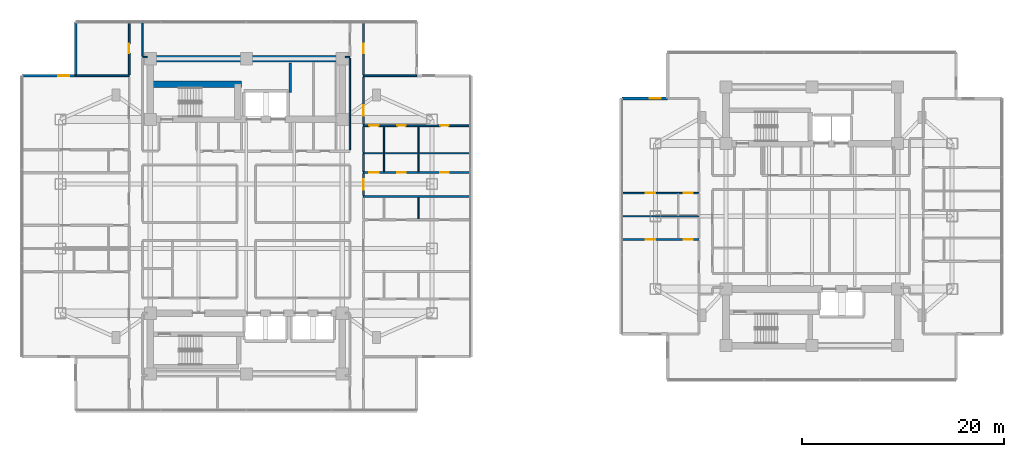
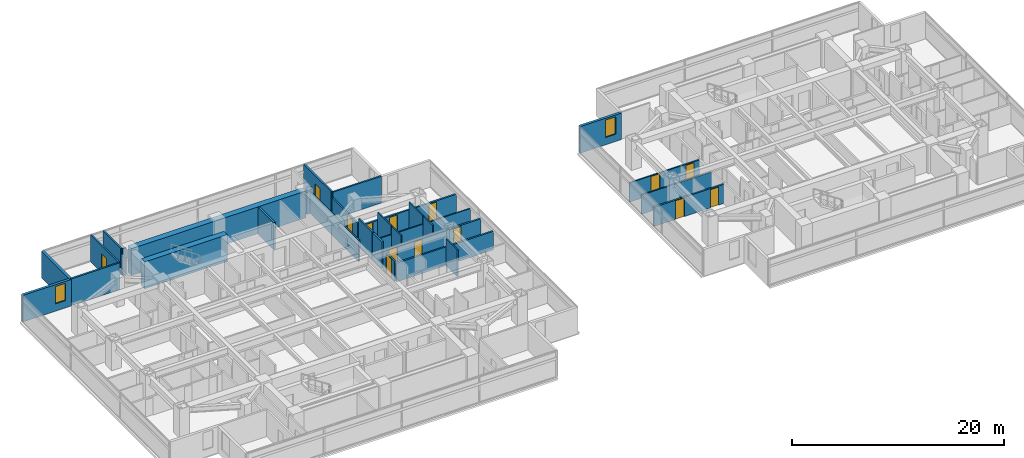
# One storey, part 16 of 25: 30 walls, 14 doors, 2 windows, 16 openings.
"""IFC4 building model written with IfcOpenShell, lengths in metres."""

from ifc_helpers import new_model, si_unit, direction, frame, frame_2d, origin, place, context, subcontext, project, spatial, rectangle, extrude, material, layer, layer_set, type_object, element, fill, save


model = new_model("IFC4")

# Units and contexts
model_context = context("Model", 3, precision=1e-05, world=origin(), true_north=direction((0.0, 1.0)))
body_context = subcontext(model_context, "Body", "Model", "MODEL_VIEW")
ifc_project = project(units=[si_unit("LENGTHUNIT", "METRE"), si_unit("AREAUNIT", "SQUARE_METRE"), si_unit("VOLUMEUNIT", "CUBIC_METRE"), si_unit("PLANEANGLEUNIT", "RADIAN"), si_unit("MASSUNIT", "GRAM", prefix="KILO")], contexts=[model_context])

# Site, building, storey
site_placement = place(None, origin())
site = spatial("IfcSite", under=ifc_project, at=site_placement, CompositionType="ELEMENT")
building_placement = place(site_placement, origin())
building = spatial("IfcBuilding", under=site, at=building_placement, Name="Mirazonda Arch Towers", CompositionType="ELEMENT")
storey_placement = place(building_placement, frame((0.0, 0.0, 111.5)))
storey = spatial("IfcBuildingStorey", under=building, at=storey_placement, Name="L31", CompositionType="ELEMENT", Elevation=111.5)

# Walls
ifc_material_1 = material(Name="Concrete C60/75", Category="concrete")
ifc_layer_1 = layer(ifc_material_1, 0.64990234375, Name="WALL-CORE-650")
ifc_layer_set_1 = layer_set([ifc_layer_1], Name="Concrete C60/75")
wall_type_1 = type_object("IfcWallType", Name="WALL-CORE-650", PredefinedType="SHEAR", material=ifc_layer_set_1)
wall_1_placement = place(storey_placement, frame((11.0, 43.60009765625, 0.0), z_axis=(0.0, 0.0, 1.0), x_axis=(1.0, 0.0, 0.0)))
element("IfcWall", 1, at=wall_1_placement, inside=storey, type_object=wall_type_1, Name="L31 T1N-N Core Shear Wall", PredefinedType="SHEAR", context=body_context, shape_type="SweptSolid", body=[
    extrude(rectangle(XDim=19.0, YDim=0.64990234375, at=frame_2d((9.5, 0.0))), origin(), (0.0, 0.0, 1.0), 3.080078125),
])
wall_2_placement = place(storey_placement, frame((11.0, 41.093017578125, 0.0), z_axis=(0.0, 0.0, 1.0), x_axis=(1.0, 0.0, 0.0)))
element("IfcWall", 2, at=wall_2_placement, inside=storey, type_object=wall_type_1, Name="L31 T1N-STN Core Shear Wall", PredefinedType="SHEAR", context=body_context, shape_type="SweptSolid", body=[
    extrude(rectangle(XDim=9.0, YDim=0.64990234375, at=frame_2d((4.5, 0.0))), origin(), (0.0, 0.0, 1.0), 3.080078125),
])

# Wall, opening, window
ifc_material_2 = material(Name="Precast Concrete C40/50", Category="concrete")
ifc_layer_2 = layer(ifc_material_2, 0.280029296875, Name="WALL-EXT-WALL-280")
ifc_layer_set_2 = layer_set([ifc_layer_2], Name="Precast Concrete C40/50")
wall_type_2 = type_object("IfcWallType", Name="WALL-EXT-WALL-280", PredefinedType="SOLIDWALL", material=ifc_layer_set_2)
wall_3_placement = place(storey_placement, frame((3.614990234375, 41.910888671875, 0.0), z_axis=(0.0, 0.0, 1.0), x_axis=(-1.0, 0.0, 0.0)))
wall_3 = element("IfcWall", 3, at=wall_3_placement, inside=storey, type_object=wall_type_2, Name="L31 T1 Corner Notch Return Wall WL-L31-T1-CNW1", PredefinedType="SOLIDWALL", context=body_context, shape_type="SweptSolid", body=[
    extrude(rectangle(XDim=5.304931640625, YDim=0.280029296875, at=frame_2d((2.65234375, 0.0))), origin(), (0.0, 0.0, 1.0), 3.06005859375),
])
opening_1_placement = place(wall_3_placement, frame((0.64990234375, 0.0, 0.85009765625)))
opening_1 = element("IfcOpeningElement", 4, at=opening_1_placement, cuts=wall_3, Name="Opening WN-108", PredefinedType="OPENING", context=body_context, shape_type="SweptSolid", body=[
    extrude(rectangle(XDim=1.10009765625, YDim=2.0, at=frame_2d((0.550048828125, 1.0))), frame((0.0, 0.14990234375, 0.0), z_axis=(0.0, -1.0, 0.0), x_axis=(1.0, 0.0, 0.0)), (0.0, 0.0, 1.0), 0.300048828125),
])
ifc_material_3 = material(Name="Insulated Low-E Solar Glass", Category="glass")
window_type = type_object("IfcWindowType", Name="WIN-NOTCH-1100x2000", PartitioningType="SINGLE_PANEL", PredefinedType="WINDOW", material=ifc_material_3)
window_1_placement = place(opening_1_placement, origin())
window_1 = element("IfcWindow", 5, at=window_1_placement, inside=storey, type_object=window_type, Name="L31 Punched Facade Window WN-L31-T1-CNW1", OverallHeight=2.0, OverallWidth=1.10009765625, PartitioningType="SINGLE_PANEL", PredefinedType="WINDOW", context=body_context, shape_type="SweptSolid", body=[
    extrude(rectangle(XDim=1.10009765625, YDim=2.0, at=frame_2d((0.550048828125, 1.0))), frame((0.0, 0.030029296875, 0.0), z_axis=(0.0, -1.0, 0.0), x_axis=(1.0, 0.0, 0.0)), (0.0, 0.0, 1.0), 0.06005859375),
])
fill(opening_1, window_1)

# Wall
wall_4_placement = place(storey_placement, frame((3.614990234375, 47.216064453125, 0.0), z_axis=(0.0, 0.0, 1.0), x_axis=(0.0, -1.0, 0.0)))
element("IfcWall", 6, at=wall_4_placement, inside=storey, type_object=wall_type_2, Name="L31 T1 Corner Notch Return Wall WL-L31-T1-CNW2", PredefinedType="SOLIDWALL", context=body_context, shape_type="SweptSolid", body=[
    extrude(rectangle(XDim=5.30517578125, YDim=0.280029296875, at=frame_2d((2.652587890625, 0.0))), origin(), (0.0, 0.0, 1.0), 3.06005859375),
])

# Wall, opening, window
wall_5_placement = place(storey_placement, frame((62.207763671875, 39.664306640625, 0.0), z_axis=(0.0, 0.0, 1.0), x_axis=(-1.0, 0.0, 0.0)))
wall_5 = element("IfcWall", 7, at=wall_5_placement, inside=storey, type_object=wall_type_2, Name="L31 T2 Corner Notch Return Wall WL-L31-T2-CNW1", PredefinedType="SOLIDWALL", context=body_context, shape_type="SweptSolid", body=[
    extrude(rectangle(XDim=4.516357421875, YDim=0.280029296875, at=frame_2d((2.25830078125, 0.0))), origin(), (0.0, 0.0, 1.0), 3.06005859375),
])
opening_2_placement = place(wall_5_placement, frame((0.64990234375, 0.0, 0.85009765625)))
opening_2 = element("IfcOpeningElement", 8, at=opening_2_placement, cuts=wall_5, Name="Opening WN-108", PredefinedType="OPENING", context=body_context, shape_type="SweptSolid", body=[
    extrude(rectangle(XDim=1.10009765625, YDim=2.0, at=frame_2d((0.550048828125, 1.0))), frame((0.0, 0.14990234375, 0.0), z_axis=(0.0, -1.0, 0.0), x_axis=(1.0, 0.0, 0.0)), (0.0, 0.0, 1.0), 0.300048828125),
])
window_2_placement = place(opening_2_placement, origin())
window_2 = element("IfcWindow", 9, at=window_2_placement, inside=storey, type_object=window_type, Name="L31 Punched Facade Window WN-L31-T2-CNW1", OverallHeight=2.0, OverallWidth=1.10009765625, PartitioningType="SINGLE_PANEL", PredefinedType="WINDOW", context=body_context, shape_type="SweptSolid", body=[
    extrude(rectangle(XDim=1.10009765625, YDim=2.0, at=frame_2d((0.550048828125, 1.0))), frame((0.0, 0.030029296875, 0.0), z_axis=(0.0, -1.0, 0.0), x_axis=(1.0, 0.0, 0.0)), (0.0, 0.0, 1.0), 0.06005859375),
])
fill(opening_2, window_2)

# Wall
ifc_material_4 = material(Name="Concrete C40/50", Category="concrete")
ifc_layer_3 = layer(ifc_material_4, 0.219970703125, Name="WALL-FFL-220")
ifc_layer_set_3 = layer_set([ifc_layer_3], Name="Concrete C40/50")
wall_type_3 = type_object("IfcWallType", Name="WALL-FFL-220", PredefinedType="SOLIDWALL", material=ifc_layer_set_3)
wall_6_placement = place(storey_placement, frame((24.85009765625, 40.260009765625, 0.0), z_axis=(0.0, 0.0, 1.0), x_axis=(0.0, 1.0, 0.0)))
element("IfcWall", 10, at=wall_6_placement, inside=storey, type_object=wall_type_3, Name="L31 Interior Partition 104", PredefinedType="SOLIDWALL", context=body_context, shape_type="SweptSolid", body=[
    extrude(rectangle(XDim=2.93994140625, YDim=0.219970703125, at=frame_2d((1.469970703125, 0.0))), origin(), (0.0, 0.0, 1.0), 3.080078125),
])

# Wall, openings, doors
ifc_material_5 = material(Name="Fire-Rated Gypsum Stud Partition")
ifc_layer_4 = layer(ifc_material_5, 0.14990234375, Name="WALL-PART-CORR-150")
ifc_layer_set_4 = layer_set([ifc_layer_4], Name="Fire-Rated Gypsum Stud Partition")
wall_type_4 = type_object("IfcWallType", Name="WALL-PART-CORR-150", PredefinedType="PARTITIONING", material=ifc_layer_set_4)
wall_7_placement = place(storey_placement, frame((57.69091796875, 30.300048828125, 0.0), z_axis=(0.0, 0.0, 1.0), x_axis=(1.0, 0.0, 0.0)))
wall_7 = element("IfcWall", 11, at=wall_7_placement, inside=storey, type_object=wall_type_4, Name="L31 Interior Partition 040", PredefinedType="PARTITIONING", context=body_context, shape_type="SweptSolid", body=[
    extrude(rectangle(XDim=7.629150390625, YDim=0.14990234375, at=frame_2d((3.814453125, 0.0))), origin(), (0.0, 0.0, 1.0), 2.216064453125),
])
opening_3_placement = place(wall_7_placement, frame((2.339599609375, 0.0, 0.0)))
opening_3 = element("IfcOpeningElement", 12, at=opening_3_placement, cuts=wall_7, Name="Opening DR-104", PredefinedType="OPENING", context=body_context, shape_type="SweptSolid", body=[
    extrude(rectangle(XDim=0.949951171875, YDim=2.14990234375, at=frame_2d((0.47509765625, 1.074951171875))), frame((0.0, 0.0849609375, 0.0), z_axis=(0.0, -1.0, 0.0), x_axis=(1.0, 0.0, 0.0)), (0.0, 0.0, 1.0), 0.169921875),
])
opening_4_placement = place(wall_7_placement, frame((6.138916015625, 0.0, 0.0)))
opening_4 = element("IfcOpeningElement", 13, at=opening_4_placement, cuts=wall_7, Name="Opening DR-120", PredefinedType="OPENING", context=body_context, shape_type="SweptSolid", body=[
    extrude(rectangle(XDim=0.89990234375, YDim=2.10009765625, at=frame_2d((0.449951171875, 1.050048828125))), frame((0.0, 0.0849609375, 0.0), z_axis=(0.0, -1.0, 0.0), x_axis=(1.0, 0.0, 0.0)), (0.0, 0.0, 1.0), 0.169921875),
])
ifc_material_6 = material(Name="Architectural Brushed Steel S355", Category="steel")
door_type_1 = type_object("IfcDoorType", Name="DOOR-ROOM-950", OperationType="NOTDEFINED", PredefinedType="DOOR", material=ifc_material_6)
door_1_placement = place(opening_3_placement, origin())
door_1 = element("IfcDoor", 14, at=door_1_placement, inside=storey, type_object=door_type_1, Name="L31 Guestroom Study 2 Door", OperationType="SINGLE_SWING_RIGHT", OverallHeight=2.14990234375, OverallWidth=0.949951171875, PredefinedType="DOOR", context=body_context, shape_type="SweptSolid", body=[
    extrude(rectangle(XDim=0.949951171875, YDim=2.14990234375, at=frame_2d((0.47509765625, 1.074951171875))), frame((0.0, 0.02490234375, 0.0), z_axis=(0.0, -1.0, 0.0), x_axis=(1.0, 0.0, 0.0)), (0.0, 0.0, 1.0), 0.050048828125),
])
fill(opening_3, door_1)
door_type_2 = type_object("IfcDoorType", Name="DOOR-WC-900", OperationType="NOTDEFINED", PredefinedType="DOOR", material=ifc_material_6)
door_2_placement = place(opening_4_placement, origin())
door_2 = element("IfcDoor", 15, at=door_2_placement, inside=storey, type_object=door_type_2, Name="L31 En-Suite Bathroom 2 Door", OperationType="SINGLE_SWING_LEFT", OverallHeight=2.10009765625, OverallWidth=0.89990234375, PredefinedType="DOOR", context=body_context, shape_type="SweptSolid", body=[
    extrude(rectangle(XDim=0.89990234375, YDim=2.10009765625, at=frame_2d((0.449951171875, 1.050048828125))), frame((0.0, 0.02490234375, 0.0), z_axis=(0.0, -1.0, 0.0), x_axis=(1.0, 0.0, 0.0)), (0.0, 0.0, 1.0), 0.050048828125),
])
fill(opening_4, door_2)

# Walls
for number, where, z_axis, x_axis, name in (
    (16, (10.239990234375, 43.75, 0.0), (0.0, 0.0, 1.0), (1.0, 0.0, 0.0), "L31 Interior Partition 064"),
    (17, (30.320068359375, 43.75, 0.0), (0.0, 0.0, 1.0), (1.0, 0.0, 0.0), "L31 Interior Partition 065"),
):
    element("IfcWall", number, at=place(storey_placement, frame(where, z_axis=z_axis, x_axis=x_axis)), inside=storey, type_object=wall_type_4, Name=name, PredefinedType="PARTITIONING", context=body_context, shape_type="SweptSolid", body=[
        extrude(rectangle(XDim=0.43994140625, YDim=0.14990234375, at=frame_2d((0.219970703125, 0.0))), origin(), (0.0, 0.0, 1.0), 3.080078125),
    ])
wall_8_placement = place(storey_placement, frame((10.239990234375, 43.8349609375, 0.0), z_axis=(0.0, 0.0, 1.0), x_axis=(0.0, 1.0, 0.0)))
element("IfcWall", 18, at=wall_8_placement, inside=storey, type_object=wall_type_4, Name="L31 Interior Partition 084", PredefinedType="PARTITIONING", context=body_context, shape_type="SweptSolid", body=[
    extrude(rectangle(XDim=3.381103515625, YDim=0.14990234375, at=frame_2d((1.6904296875, 0.0))), origin(), (0.0, 0.0, 1.0), 3.080078125),
])
wall_9_placement = place(storey_placement, frame((30.760009765625, 34.570068359375, 0.0), z_axis=(0.0, 0.0, 1.0), x_axis=(0.0, 1.0, 0.0)))
element("IfcWall", 19, at=wall_9_placement, inside=storey, type_object=wall_type_4, Name="L31 Interior Partition 114", PredefinedType="PARTITIONING", context=body_context, shape_type="SweptSolid", body=[
    extrude(rectangle(XDim=9.094970703125, YDim=0.14990234375, at=frame_2d((4.54736328125, 0.0))), origin(), (0.0, 0.0, 1.0), 2.4560546875),
])

# Wall, openings, doors
ifc_material_7 = material(Name="Fire-Rated Gypsum Twin-Stud Assembly")
ifc_layer_5 = layer(ifc_material_7, 0.179931640625, Name="WALL-PART-DEMISE-180")
ifc_layer_set_5 = layer_set([ifc_layer_5], Name="Fire-Rated Gypsum Twin-Stud Assembly")
wall_type_5 = type_object("IfcWallType", Name="WALL-PART-DEMISE-180", PredefinedType="PARTITIONING", material=ifc_layer_set_5)
wall_10_placement = place(storey_placement, frame((57.69091796875, 25.699951171875, 0.0), z_axis=(0.0, 0.0, 1.0), x_axis=(1.0, 0.0, 0.0)))
wall_10 = element("IfcWall", 20, at=wall_10_placement, inside=storey, type_object=wall_type_5, Name="L31 Interior Partition 031", PredefinedType="PARTITIONING", context=body_context, shape_type="SweptSolid", body=[
    extrude(rectangle(XDim=7.629150390625, YDim=0.179931640625, at=frame_2d((3.814453125, 0.0))), origin(), (0.0, 0.0, 1.0), 2.216064453125),
])
opening_5_placement = place(wall_10_placement, frame((2.339599609375, 0.0, 0.0)))
opening_5 = element("IfcOpeningElement", 21, at=opening_5_placement, cuts=wall_10, Name="Opening DR-104", PredefinedType="OPENING", context=body_context, shape_type="SweptSolid", body=[
    extrude(rectangle(XDim=0.949951171875, YDim=2.14990234375, at=frame_2d((0.47509765625, 1.074951171875))), frame((0.0, 0.099853515625, 0.0), z_axis=(0.0, -1.0, 0.0), x_axis=(1.0, 0.0, 0.0)), (0.0, 0.0, 1.0), 0.199951171875),
])
opening_6_placement = place(wall_10_placement, frame((6.138916015625, 0.0, 0.0)))
opening_6 = element("IfcOpeningElement", 22, at=opening_6_placement, cuts=wall_10, Name="Opening DR-120", PredefinedType="OPENING", context=body_context, shape_type="SweptSolid", body=[
    extrude(rectangle(XDim=0.89990234375, YDim=2.10009765625, at=frame_2d((0.449951171875, 1.050048828125))), frame((0.0, 0.099853515625, 0.0), z_axis=(0.0, -1.0, 0.0), x_axis=(1.0, 0.0, 0.0)), (0.0, 0.0, 1.0), 0.199951171875),
])
door_3_placement = place(opening_5_placement, origin())
door_3 = element("IfcDoor", 23, at=door_3_placement, inside=storey, type_object=door_type_1, Name="L31 Guestroom Study 1 Door", OperationType="SINGLE_SWING_LEFT", OverallHeight=2.14990234375, OverallWidth=0.949951171875, PredefinedType="DOOR", context=body_context, shape_type="SweptSolid", body=[
    extrude(rectangle(XDim=0.949951171875, YDim=2.14990234375, at=frame_2d((0.47509765625, 1.074951171875))), frame((0.0, 0.02490234375, 0.0), z_axis=(0.0, -1.0, 0.0), x_axis=(1.0, 0.0, 0.0)), (0.0, 0.0, 1.0), 0.050048828125),
])
fill(opening_5, door_3)
door_4_placement = place(opening_6_placement, origin())
door_4 = element("IfcDoor", 24, at=door_4_placement, inside=storey, type_object=door_type_2, Name="L31 En-Suite Bathroom 1 Door", OperationType="SINGLE_SWING_RIGHT", OverallHeight=2.10009765625, OverallWidth=0.89990234375, PredefinedType="DOOR", context=body_context, shape_type="SweptSolid", body=[
    extrude(rectangle(XDim=0.89990234375, YDim=2.10009765625, at=frame_2d((0.449951171875, 1.050048828125))), frame((0.0, 0.02490234375, 0.0), z_axis=(0.0, -1.0, 0.0), x_axis=(1.0, 0.0, 0.0)), (0.0, 0.0, 1.0), 0.050048828125),
])
fill(opening_6, door_4)

# Wall
wall_11_placement = place(storey_placement, frame((32.10009765625, 29.951904296875, 0.0), z_axis=(0.0, 0.0, 1.0), x_axis=(1.0, 0.0, 0.0)))
element("IfcWall", 25, at=wall_11_placement, inside=storey, type_object=wall_type_5, Name="L31 Interior Partition 039", PredefinedType="PARTITIONING", context=body_context, shape_type="SweptSolid", body=[
    extrude(rectangle(XDim=10.58984375, YDim=0.179931640625, at=frame_2d((5.294921875, 0.0))), origin(), (0.0, 0.0, 1.0), 2.14501953125),
])

# Wall, openings, doors
wall_12_placement = place(storey_placement, frame((32.10009765625, 32.326904296875, 0.0), z_axis=(0.0, 0.0, 1.0), x_axis=(1.0, 0.0, 0.0)))
wall_12 = element("IfcWall", 26, at=wall_12_placement, inside=storey, type_object=wall_type_5, Name="L31 Interior Partition 046", PredefinedType="PARTITIONING", context=body_context, shape_type="SweptSolid", body=[
    extrude(rectangle(XDim=10.58984375, YDim=0.179931640625, at=frame_2d((5.294921875, 0.0))), origin(), (0.0, 0.0, 1.0), 2.14501953125),
])
opening_7_placement = place(wall_12_placement, frame((7.580078125, 0.0, 0.0)))
opening_7 = element("IfcOpeningElement", 27, at=opening_7_placement, cuts=wall_12, Name="Opening DR-128", PredefinedType="OPENING", context=body_context, shape_type="SweptSolid", body=[
    extrude(rectangle(XDim=0.85009765625, YDim=2.010009765625, at=frame_2d((0.425048828125, 1.0048828125))), frame((0.0, 0.099853515625, 0.0), z_axis=(0.0, -1.0, 0.0), x_axis=(1.0, 0.0, 0.0)), (0.0, 0.0, 1.0), 0.199951171875),
])
opening_8_placement = place(wall_12_placement, frame((3.324951171875, 0.0, 0.0)))
opening_8 = element("IfcOpeningElement", 28, at=opening_8_placement, cuts=wall_12, Name="Opening DR-128", PredefinedType="OPENING", context=body_context, shape_type="SweptSolid", body=[
    extrude(rectangle(XDim=0.85009765625, YDim=2.010009765625, at=frame_2d((0.425048828125, 1.0048828125))), frame((0.0, 0.099853515625, 0.0), z_axis=(0.0, -1.0, 0.0), x_axis=(1.0, 0.0, 0.0)), (0.0, 0.0, 1.0), 0.199951171875),
])
opening_9_placement = place(wall_12_placement, frame((0.590087890625, 0.0, 0.0)))
opening_9 = element("IfcOpeningElement", 29, at=opening_9_placement, cuts=wall_12, Name="Opening DR-120", PredefinedType="OPENING", context=body_context, shape_type="SweptSolid", body=[
    extrude(rectangle(XDim=0.89990234375, YDim=2.10009765625, at=frame_2d((0.449951171875, 1.050048828125))), frame((0.0, 0.099853515625, 0.0), z_axis=(0.0, -1.0, 0.0), x_axis=(1.0, 0.0, 0.0)), (0.0, 0.0, 1.0), 0.199951171875),
])
door_type_3 = type_object("IfcDoorType", Name="DOOR-RISER-FD60-850", OperationType="NOTDEFINED", PredefinedType="DOOR", material=ifc_material_6)
door_5_placement = place(opening_7_placement, origin())
door_5 = element("IfcDoor", 30, at=door_5_placement, inside=storey, type_object=door_type_3, Name="L31 Residence 3 Principal Bedroom Door", OperationType="SINGLE_SWING_LEFT", OverallHeight=2.010009765625, OverallWidth=0.85009765625, PredefinedType="DOOR", context=body_context, shape_type="SweptSolid", body=[
    extrude(rectangle(XDim=0.85009765625, YDim=2.010009765625, at=frame_2d((0.425048828125, 1.0048828125))), frame((0.0, 0.02490234375, 0.0), z_axis=(0.0, -1.0, 0.0), x_axis=(1.0, 0.0, 0.0)), (0.0, 0.0, 1.0), 0.050048828125),
])
fill(opening_7, door_5)
door_6_placement = place(opening_8_placement, origin())
door_6 = element("IfcDoor", 31, at=door_6_placement, inside=storey, type_object=door_type_3, Name="L31 Residence 3 Fitted Kitchen Door", OperationType="SINGLE_SWING_RIGHT", OverallHeight=2.010009765625, OverallWidth=0.85009765625, PredefinedType="DOOR", context=body_context, shape_type="SweptSolid", body=[
    extrude(rectangle(XDim=0.85009765625, YDim=2.010009765625, at=frame_2d((0.425048828125, 1.0048828125))), frame((0.0, 0.02490234375, 0.0), z_axis=(0.0, -1.0, 0.0), x_axis=(1.0, 0.0, 0.0)), (0.0, 0.0, 1.0), 0.050048828125),
])
fill(opening_8, door_6)
door_7_placement = place(opening_9_placement, origin())
door_7 = element("IfcDoor", 32, at=door_7_placement, inside=storey, type_object=door_type_2, Name="L31 Residence 3 Bathroom Door", OperationType="SINGLE_SWING_LEFT", OverallHeight=2.10009765625, OverallWidth=0.89990234375, PredefinedType="DOOR", context=body_context, shape_type="SweptSolid", body=[
    extrude(rectangle(XDim=0.89990234375, YDim=2.10009765625, at=frame_2d((0.449951171875, 1.050048828125))), frame((0.0, 0.02490234375, 0.0), z_axis=(0.0, -1.0, 0.0), x_axis=(1.0, 0.0, 0.0)), (0.0, 0.0, 1.0), 0.050048828125),
])
fill(opening_9, door_7)

wall_13_placement = place(storey_placement, frame((32.10009765625, 36.967041015625, 0.0), z_axis=(0.0, 0.0, 1.0), x_axis=(1.0, 0.0, 0.0)))
wall_13 = element("IfcWall", 33, at=wall_13_placement, inside=storey, type_object=wall_type_5, Name="L31 Interior Partition 056", PredefinedType="PARTITIONING", context=body_context, shape_type="SweptSolid", body=[
    extrude(rectangle(XDim=10.58984375, YDim=0.179931640625, at=frame_2d((5.294921875, 0.0))), origin(), (0.0, 0.0, 1.0), 2.14501953125),
])
opening_10_placement = place(wall_13_placement, frame((7.580078125, 0.0, 0.0)))
opening_10 = element("IfcOpeningElement", 34, at=opening_10_placement, cuts=wall_13, Name="Opening DR-128", PredefinedType="OPENING", context=body_context, shape_type="SweptSolid", body=[
    extrude(rectangle(XDim=0.85009765625, YDim=2.010009765625, at=frame_2d((0.425048828125, 1.0048828125))), frame((0.0, 0.099853515625, 0.0), z_axis=(0.0, -1.0, 0.0), x_axis=(1.0, 0.0, 0.0)), (0.0, 0.0, 1.0), 0.199951171875),
])
opening_11_placement = place(wall_13_placement, frame((3.324951171875, 0.0, 0.0)))
opening_11 = element("IfcOpeningElement", 35, at=opening_11_placement, cuts=wall_13, Name="Opening DR-128", PredefinedType="OPENING", context=body_context, shape_type="SweptSolid", body=[
    extrude(rectangle(XDim=0.85009765625, YDim=2.010009765625, at=frame_2d((0.425048828125, 1.0048828125))), frame((0.0, 0.099853515625, 0.0), z_axis=(0.0, -1.0, 0.0), x_axis=(1.0, 0.0, 0.0)), (0.0, 0.0, 1.0), 0.199951171875),
])
opening_12_placement = place(wall_13_placement, frame((0.590087890625, 0.0, 0.0)))
opening_12 = element("IfcOpeningElement", 36, at=opening_12_placement, cuts=wall_13, Name="Opening DR-120", PredefinedType="OPENING", context=body_context, shape_type="SweptSolid", body=[
    extrude(rectangle(XDim=0.89990234375, YDim=2.10009765625, at=frame_2d((0.449951171875, 1.050048828125))), frame((0.0, 0.099853515625, 0.0), z_axis=(0.0, -1.0, 0.0), x_axis=(1.0, 0.0, 0.0)), (0.0, 0.0, 1.0), 0.199951171875),
])
door_8_placement = place(opening_10_placement, origin())
door_8 = element("IfcDoor", 37, at=door_8_placement, inside=storey, type_object=door_type_3, Name="L31 Residence 4 Principal Bedroom Door", OperationType="SINGLE_SWING_LEFT", OverallHeight=2.010009765625, OverallWidth=0.85009765625, PredefinedType="DOOR", context=body_context, shape_type="SweptSolid", body=[
    extrude(rectangle(XDim=0.85009765625, YDim=2.010009765625, at=frame_2d((0.425048828125, 1.0048828125))), frame((0.0, 0.02490234375, 0.0), z_axis=(0.0, -1.0, 0.0), x_axis=(1.0, 0.0, 0.0)), (0.0, 0.0, 1.0), 0.050048828125),
])
fill(opening_10, door_8)
door_9_placement = place(opening_11_placement, origin())
door_9 = element("IfcDoor", 38, at=door_9_placement, inside=storey, type_object=door_type_3, Name="L31 Residence 4 Fitted Kitchen Door", OperationType="SINGLE_SWING_RIGHT", OverallHeight=2.010009765625, OverallWidth=0.85009765625, PredefinedType="DOOR", context=body_context, shape_type="SweptSolid", body=[
    extrude(rectangle(XDim=0.85009765625, YDim=2.010009765625, at=frame_2d((0.425048828125, 1.0048828125))), frame((0.0, 0.02490234375, 0.0), z_axis=(0.0, -1.0, 0.0), x_axis=(1.0, 0.0, 0.0)), (0.0, 0.0, 1.0), 0.050048828125),
])
fill(opening_11, door_9)
door_10_placement = place(opening_12_placement, origin())
door_10 = element("IfcDoor", 39, at=door_10_placement, inside=storey, type_object=door_type_2, Name="L31 Residence 4 Bathroom Door", OperationType="SINGLE_SWING_LEFT", OverallHeight=2.10009765625, OverallWidth=0.89990234375, PredefinedType="DOOR", context=body_context, shape_type="SweptSolid", body=[
    extrude(rectangle(XDim=0.89990234375, YDim=2.10009765625, at=frame_2d((0.449951171875, 1.050048828125))), frame((0.0, 0.02490234375, 0.0), z_axis=(0.0, -1.0, 0.0), x_axis=(1.0, 0.0, 0.0)), (0.0, 0.0, 1.0), 0.050048828125),
])
fill(opening_12, door_10)

# Walls
for number, where, z_axis, x_axis, name in (
    (40, (3.635009765625, 41.910888671875, 0.0), (0.0, 0.0, 1.0), (1.0, 0.0, 0.0), "L31 Interior Partition 062"),
    (41, (32.10009765625, 41.910888671875, 0.0), (0.0, 0.0, 1.0), (1.0, 0.0, 0.0), "L31 Interior Partition 063"),
):
    element("IfcWall", number, at=place(storey_placement, frame(where, z_axis=z_axis, x_axis=x_axis)), inside=storey, type_object=wall_type_5, Name=name, PredefinedType="PARTITIONING", context=body_context, shape_type="SweptSolid", body=[
        extrude(rectangle(XDim=5.264892578125, YDim=0.179931640625, at=frame_2d((2.63232421875, 0.0))), origin(), (0.0, 0.0, 1.0), 3.080078125),
    ])

# Wall, opening, door
wall_14_placement = place(storey_placement, frame((8.89990234375, 42.010986328125, 0.0), z_axis=(0.0, 0.0, 1.0), x_axis=(0.0, 1.0, 0.0)))
wall_14 = element("IfcWall", 42, at=wall_14_placement, inside=storey, type_object=wall_type_5, Name="L31 Interior Partition 077", PredefinedType="PARTITIONING", context=body_context, shape_type="SweptSolid", body=[
    extrude(rectangle(XDim=5.205078125, YDim=0.179931640625, at=frame_2d((2.6025390625, 0.0))), origin(), (0.0, 0.0, 1.0), 3.080078125),
])
opening_13_placement = place(wall_14_placement, frame((2.12744140625, 0.0, 0.0)))
opening_13 = element("IfcOpeningElement", 43, at=opening_13_placement, cuts=wall_14, Name="Opening DR-104", PredefinedType="OPENING", context=body_context, shape_type="SweptSolid", body=[
    extrude(rectangle(XDim=0.949951171875, YDim=2.14990234375, at=frame_2d((0.47509765625, 1.074951171875))), frame((0.0, 0.099853515625, 0.0), z_axis=(0.0, -1.0, 0.0), x_axis=(1.0, 0.0, 0.0)), (0.0, 0.0, 1.0), 0.199951171875),
])
door_11_placement = place(opening_13_placement, origin())
door_11 = element("IfcDoor", 44, at=door_11_placement, inside=storey, type_object=door_type_1, Name="L31 North Bay Sunroom Alcove West Door", OperationType="SINGLE_SWING_LEFT", OverallHeight=2.14990234375, OverallWidth=0.949951171875, PredefinedType="DOOR", context=body_context, shape_type="SweptSolid", body=[
    extrude(rectangle(XDim=0.949951171875, YDim=2.14990234375, at=frame_2d((0.47509765625, 1.074951171875))), frame((0.0, 0.02490234375, 0.0), z_axis=(0.0, -1.0, 0.0), x_axis=(1.0, 0.0, 0.0)), (0.0, 0.0, 1.0), 0.050048828125),
])
fill(opening_13, door_11)

wall_15_placement = place(storey_placement, frame((32.10009765625, 30.052001953125, 0.0), z_axis=(0.0, 0.0, 1.0), x_axis=(0.0, 1.0, 0.0)))
wall_15 = element("IfcWall", 45, at=wall_15_placement, inside=storey, type_object=wall_type_5, Name="L31 Interior Partition 121", PredefinedType="PARTITIONING", context=body_context, shape_type="SweptSolid", body=[
    extrude(rectangle(XDim=2.175048828125, YDim=0.179931640625, at=frame_2d((1.08740234375, 0.0))), origin(), (0.0, 0.0, 1.0), 2.299072265625),
])
opening_14_placement = place(wall_15_placement, frame((0.5625, 0.0, 0.0)))
opening_14 = element("IfcOpeningElement", 46, at=opening_14_placement, cuts=wall_15, Name="Opening DR-121", PredefinedType="OPENING", context=body_context, shape_type="SweptSolid", body=[
    extrude(rectangle(XDim=1.050048828125, YDim=2.199951171875, at=frame_2d((0.52490234375, 1.10009765625))), frame((0.0, 0.099853515625, 0.0), z_axis=(0.0, -1.0, 0.0), x_axis=(1.0, 0.0, 0.0)), (0.0, 0.0, 1.0), 0.199951171875),
])
door_type_4 = type_object("IfcDoorType", Name="DOOR-SUITE-FD60-1050", OperationType="NOTDEFINED", PredefinedType="DOOR", material=ifc_material_6)
door_12_placement = place(opening_14_placement, origin())
door_12 = element("IfcDoor", 47, at=door_12_placement, inside=storey, type_object=door_type_4, Name="L31 Residence 3 Living & Dining Salon Door", OperationType="SINGLE_SWING_RIGHT", OverallHeight=2.199951171875, OverallWidth=1.050048828125, PredefinedType="DOOR", context=body_context, shape_type="SweptSolid", body=[
    extrude(rectangle(XDim=1.050048828125, YDim=2.199951171875, at=frame_2d((0.52490234375, 1.10009765625))), frame((0.0, 0.02490234375, 0.0), z_axis=(0.0, -1.0, 0.0), x_axis=(1.0, 0.0, 0.0)), (0.0, 0.0, 1.0), 0.050048828125),
])
fill(opening_14, door_12)

# Walls
wall_16_placement = place(storey_placement, frame((32.10009765625, 32.427001953125, 0.0), z_axis=(0.0, 0.0, 1.0), x_axis=(0.0, 1.0, 0.0)))
element("IfcWall", 48, at=wall_16_placement, inside=storey, type_object=wall_type_5, Name="L31 Interior Partition 122", PredefinedType="PARTITIONING", context=body_context, shape_type="SweptSolid", body=[
    extrude(rectangle(XDim=1.74755859375, YDim=0.179931640625, at=frame_2d((0.873779296875, 0.0))), origin(), (0.0, 0.0, 1.0), 3.080078125),
])
wall_17_placement = place(storey_placement, frame((32.10009765625, 34.319580078125, 0.0), z_axis=(0.0, 0.0, 1.0), x_axis=(0.0, 1.0, 0.0)))
element("IfcWall", 49, at=wall_17_placement, inside=storey, type_object=wall_type_5, Name="L31 Interior Partition 123", PredefinedType="PARTITIONING", context=body_context, shape_type="SweptSolid", body=[
    extrude(rectangle(XDim=2.54736328125, YDim=0.179931640625, at=frame_2d((1.273681640625, 0.0))), origin(), (0.0, 0.0, 1.0), 3.080078125),
])

# Wall, opening, door
wall_18_placement = place(storey_placement, frame((32.10009765625, 37.06689453125, 0.0), z_axis=(0.0, 0.0, 1.0), x_axis=(0.0, 1.0, 0.0)))
wall_18 = element("IfcWall", 50, at=wall_18_placement, inside=storey, type_object=wall_type_5, Name="L31 Interior Partition 124", PredefinedType="PARTITIONING", context=body_context, shape_type="SweptSolid", body=[
    extrude(rectangle(XDim=4.744140625, YDim=0.179931640625, at=frame_2d((2.3720703125, 0.0))), origin(), (0.0, 0.0, 1.0), 2.4560546875),
])
opening_15_placement = place(wall_18_placement, frame((0.89697265625, 0.0, 0.0)))
opening_15 = element("IfcOpeningElement", 51, at=opening_15_placement, cuts=wall_18, Name="Opening DR-121", PredefinedType="OPENING", context=body_context, shape_type="SweptSolid", body=[
    extrude(rectangle(XDim=1.050048828125, YDim=2.199951171875, at=frame_2d((0.52490234375, 1.10009765625))), frame((0.0, 0.099853515625, 0.0), z_axis=(0.0, -1.0, 0.0), x_axis=(1.0, 0.0, 0.0)), (0.0, 0.0, 1.0), 0.199951171875),
])
door_13_placement = place(opening_15_placement, origin())
door_13 = element("IfcDoor", 52, at=door_13_placement, inside=storey, type_object=door_type_4, Name="L31 Residence 4 Living & Dining Salon Door", OperationType="SINGLE_SWING_RIGHT", OverallHeight=2.199951171875, OverallWidth=1.050048828125, PredefinedType="DOOR", context=body_context, shape_type="SweptSolid", body=[
    extrude(rectangle(XDim=1.050048828125, YDim=2.199951171875, at=frame_2d((0.52490234375, 1.10009765625))), frame((0.0, 0.02490234375, 0.0), z_axis=(0.0, -1.0, 0.0), x_axis=(1.0, 0.0, 0.0)), (0.0, 0.0, 1.0), 0.050048828125),
])
fill(opening_15, door_13)

wall_19_placement = place(storey_placement, frame((32.10009765625, 42.010986328125, 0.0), z_axis=(0.0, 0.0, 1.0), x_axis=(0.0, 1.0, 0.0)))
wall_19 = element("IfcWall", 53, at=wall_19_placement, inside=storey, type_object=wall_type_5, Name="L31 Interior Partition 125", PredefinedType="PARTITIONING", context=body_context, shape_type="SweptSolid", body=[
    extrude(rectangle(XDim=5.205078125, YDim=0.179931640625, at=frame_2d((2.6025390625, 0.0))), origin(), (0.0, 0.0, 1.0), 3.080078125),
])
opening_16_placement = place(wall_19_placement, frame((2.12744140625, 0.0, 0.0)))
opening_16 = element("IfcOpeningElement", 54, at=opening_16_placement, cuts=wall_19, Name="Opening DR-104", PredefinedType="OPENING", context=body_context, shape_type="SweptSolid", body=[
    extrude(rectangle(XDim=0.949951171875, YDim=2.14990234375, at=frame_2d((0.47509765625, 1.074951171875))), frame((0.0, 0.099853515625, 0.0), z_axis=(0.0, -1.0, 0.0), x_axis=(1.0, 0.0, 0.0)), (0.0, 0.0, 1.0), 0.199951171875),
])
door_14_placement = place(opening_16_placement, origin())
door_14 = element("IfcDoor", 55, at=door_14_placement, inside=storey, type_object=door_type_1, Name="L31 North Bay Sunroom Alcove East Door", OperationType="SINGLE_SWING_RIGHT", OverallHeight=2.14990234375, OverallWidth=0.949951171875, PredefinedType="DOOR", context=body_context, shape_type="SweptSolid", body=[
    extrude(rectangle(XDim=0.949951171875, YDim=2.14990234375, at=frame_2d((0.47509765625, 1.074951171875))), frame((0.0, 0.02490234375, 0.0), z_axis=(0.0, -1.0, 0.0), x_axis=(1.0, 0.0, 0.0)), (0.0, 0.0, 1.0), 0.050048828125),
])
fill(opening_16, door_14)

# Walls
ifc_material_8 = material(Name="Acoustic Fire-Rated Gypsum Partition")
ifc_layer_6 = layer(ifc_material_8, 0.125, Name="WALL-PART-UNIT-125")
ifc_layer_set_6 = layer_set([ifc_layer_6], Name="Acoustic Fire-Rated Gypsum Partition")
wall_type_6 = type_object("IfcWallType", Name="WALL-PART-UNIT-125", PredefinedType="PARTITIONING", material=ifc_layer_set_6)
wall_20_placement = place(storey_placement, frame((57.69091796875, 28.0, 0.0), z_axis=(0.0, 0.0, 1.0), x_axis=(1.0, 0.0, 0.0)))
element("IfcWall", 56, at=wall_20_placement, inside=storey, type_object=wall_type_6, Name="L31 Interior Partition 037", PredefinedType="PARTITIONING", context=body_context, shape_type="SweptSolid", body=[
    extrude(rectangle(XDim=7.629150390625, YDim=0.125, at=frame_2d((3.814453125, 0.0))), origin(), (0.0, 0.0, 1.0), 2.216064453125),
])
wall_21_placement = place(storey_placement, frame((32.10009765625, 34.2470703125, 0.0), z_axis=(0.0, 0.0, 1.0), x_axis=(1.0, 0.0, 0.0)))
element("IfcWall", 57, at=wall_21_placement, inside=storey, type_object=wall_type_6, Name="L31 Interior Partition 050", PredefinedType="PARTITIONING", context=body_context, shape_type="SweptSolid", body=[
    extrude(rectangle(XDim=10.58984375, YDim=0.125, at=frame_2d((5.294921875, 0.0))), origin(), (0.0, 0.0, 1.0), 2.14501953125),
])
wall_22_placement = place(storey_placement, frame((34.139892578125, 32.427001953125, 0.0), z_axis=(0.0, 0.0, 1.0), x_axis=(0.0, 1.0, 0.0)))
element("IfcWall", 58, at=wall_22_placement, inside=storey, type_object=wall_type_6, Name="L31 Interior Partition 128", PredefinedType="PARTITIONING", context=body_context, shape_type="SweptSolid", body=[
    extrude(rectangle(XDim=1.74755859375, YDim=0.125, at=frame_2d((0.873779296875, 0.0))), origin(), (0.0, 0.0, 1.0), 3.080078125),
])
wall_23_placement = place(storey_placement, frame((34.139892578125, 34.319580078125, 0.0), z_axis=(0.0, 0.0, 1.0), x_axis=(0.0, 1.0, 0.0)))
element("IfcWall", 59, at=wall_23_placement, inside=storey, type_object=wall_type_6, Name="L31 Interior Partition 129", PredefinedType="PARTITIONING", context=body_context, shape_type="SweptSolid", body=[
    extrude(rectangle(XDim=2.54736328125, YDim=0.125, at=frame_2d((1.273681640625, 0.0))), origin(), (0.0, 0.0, 1.0), 3.080078125),
])
wall_24_placement = place(storey_placement, frame((37.56005859375, 27.751953125, 0.0), z_axis=(0.0, 0.0, 1.0), x_axis=(0.0, 1.0, 0.0)))
element("IfcWall", 60, at=wall_24_placement, inside=storey, type_object=wall_type_6, Name="L31 Interior Partition 131", PredefinedType="PARTITIONING", context=body_context, shape_type="SweptSolid", body=[
    extrude(rectangle(XDim=2.10009765625, YDim=0.125, at=frame_2d((1.050048828125, 0.0))), origin(), (0.0, 0.0, 1.0), 3.080078125),
])
wall_25_placement = place(storey_placement, frame((37.56005859375, 32.427001953125, 0.0), z_axis=(0.0, 0.0, 1.0), x_axis=(0.0, 1.0, 0.0)))
element("IfcWall", 61, at=wall_25_placement, inside=storey, type_object=wall_type_6, Name="L31 Interior Partition 132", PredefinedType="PARTITIONING", context=body_context, shape_type="SweptSolid", body=[
    extrude(rectangle(XDim=1.74755859375, YDim=0.125, at=frame_2d((0.873779296875, 0.0))), origin(), (0.0, 0.0, 1.0), 3.080078125),
])
wall_26_placement = place(storey_placement, frame((37.56005859375, 34.319580078125, 0.0), z_axis=(0.0, 0.0, 1.0), x_axis=(0.0, 1.0, 0.0)))
element("IfcWall", 62, at=wall_26_placement, inside=storey, type_object=wall_type_6, Name="L31 Interior Partition 133", PredefinedType="PARTITIONING", context=body_context, shape_type="SweptSolid", body=[
    extrude(rectangle(XDim=2.54736328125, YDim=0.125, at=frame_2d((1.273681640625, 0.0))), origin(), (0.0, 0.0, 1.0), 3.080078125),
])

save(model, "model.ifc")
